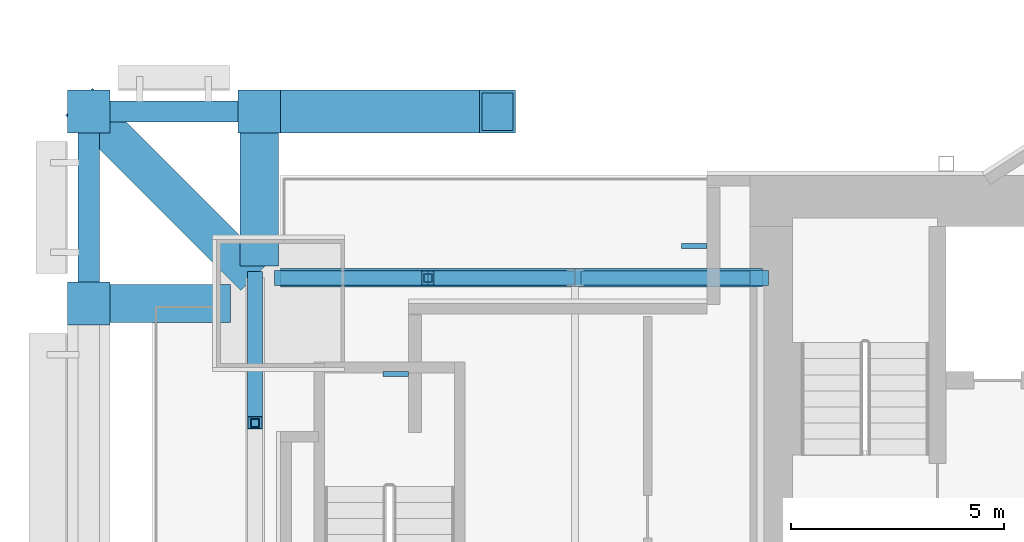
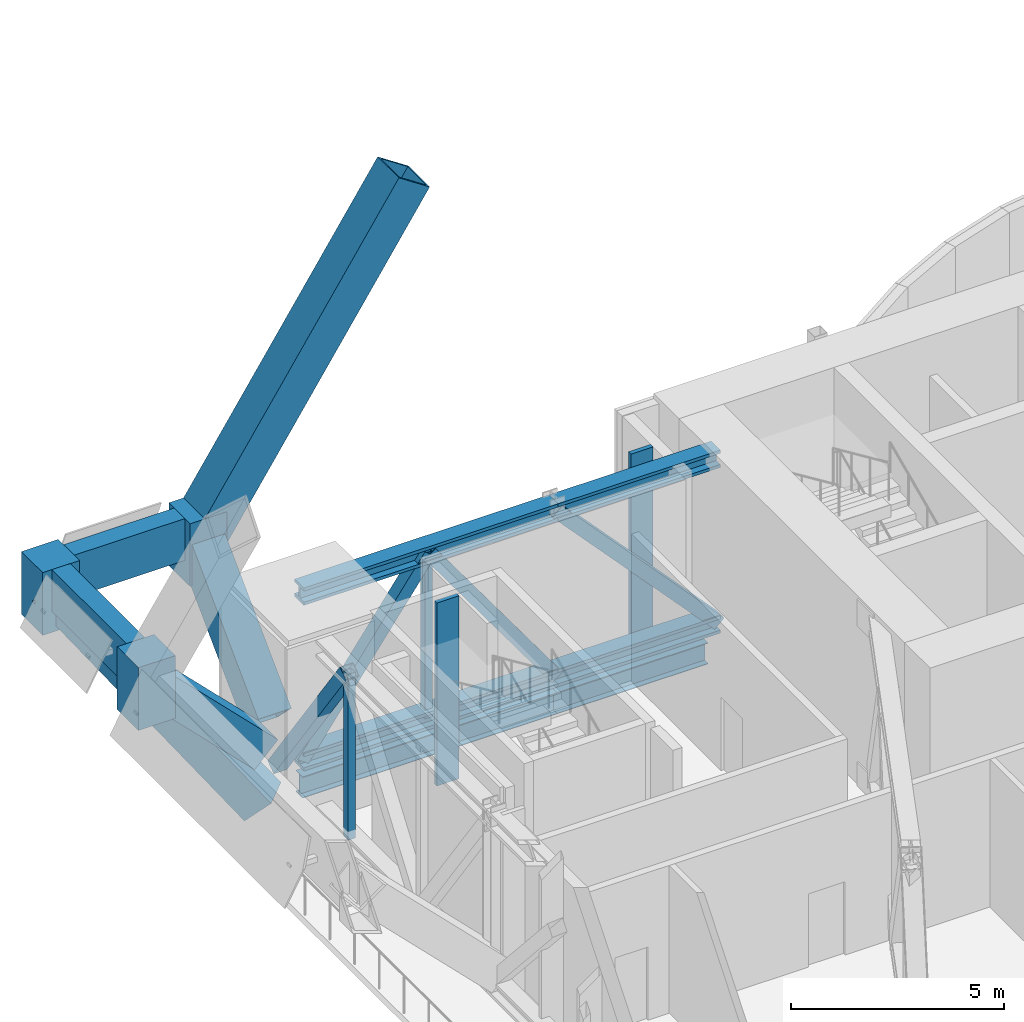
# One storey, part 13 of 32: 19 members, 4 beams, 1 element without a shape of its own.
"""IFC4 building model written with IfcOpenShell, lengths in metres."""

from ifc_helpers import new_model, si_unit, direction, frame, origin, origin_2d, place, context, subcontext, project, spatial, rectangle, hollow_rectangle, i_section, extrude, material, material_profile, profile_set, type_object, element, aggregate, save


model = new_model("IFC4")

# Units and contexts
model_context = context("Model", 3, precision=1e-05, world=origin(), true_north=direction((0.0, 1.0)))
body_context = subcontext(model_context, "Body", "Model", "MODEL_VIEW")
ifc_project = project(units=[si_unit("LENGTHUNIT", "METRE"), si_unit("AREAUNIT", "SQUARE_METRE"), si_unit("VOLUMEUNIT", "CUBIC_METRE"), si_unit("PLANEANGLEUNIT", "RADIAN"), si_unit("MASSUNIT", "GRAM", prefix="KILO")], contexts=[model_context])

# Site, building, storey
site_placement = place(None, origin())
site = spatial("IfcSite", under=ifc_project, at=site_placement, CompositionType="ELEMENT")
building_placement = place(site_placement, origin())
building = spatial("IfcBuilding", under=site, at=building_placement, Name="Bicima Exchange Tower", CompositionType="ELEMENT")
storey_placement = place(building_placement, frame((0.0, 0.0, 135.0)))
storey = spatial("IfcBuildingStorey", under=building, at=storey_placement, Name="L29", CompositionType="ELEMENT", Elevation=135.0)

# Curtain wall, members
ifc_material_1 = material(Name="Anodised bronze aluminium", Category="aluminium")
curtain_wall_type = type_object("IfcCurtainWallType", Name="Band blade screen", PredefinedType="NOTDEFINED", material=ifc_material_1)
curtain_wall_placement = place(storey_placement, origin())
curtain_wall = element("IfcCurtainWall", 1, at=curtain_wall_placement, inside=storey, type_object=curtain_wall_type, Name="Band blade screen L29", PredefinedType="NOTDEFINED")
ifc_material_profile_1 = material_profile(ifc_material_1, rectangle(XDim=0.60009765625, YDim=0.1201171875, at=origin_2d()))
ifc_profile_set_1 = profile_set([ifc_material_profile_1], Name="Anodised bronze aluminium")
member_type_1 = type_object("IfcMemberType", Name="Band blade fin 600 x 120", PredefinedType="USERDEFINED", material=ifc_profile_set_1)
member_1_placement = place(storey_placement, frame((-23.300048828125, -1.64990234375, 0.0), z_axis=(0.0, 0.0, 1.0), x_axis=(1.0, 0.0, 0.0)))
member_1 = element("IfcMember", 2, at=member_1_placement, type_object=member_type_1, Name="Band blade fin 13", ObjectType="FIN", PredefinedType="USERDEFINED", context=body_context, shape_type="SweptSolid", body=[
    extrude(rectangle(XDim=0.60009765625, YDim=0.1201171875, at=origin_2d()), origin(), (0.0, 0.0, 1.0), 5.25),
])
member_2_placement = place(storey_placement, frame((-30.300048828125, -4.64990234375, 0.0), z_axis=(0.0, 0.0, 1.0), x_axis=(1.0, 0.0, 0.0)))
member_2 = element("IfcMember", 3, at=member_2_placement, type_object=member_type_1, Name="Band blade fin 14", ObjectType="FIN", PredefinedType="USERDEFINED", context=body_context, shape_type="SweptSolid", body=[
    extrude(rectangle(XDim=0.60009765625, YDim=0.1201171875, at=origin_2d()), origin(), (0.0, 0.0, 1.0), 5.25),
])
aggregate(curtain_wall, [member_1, member_2])

# Beams
ifc_material_2 = material(Name="Steel ASTM A572 Gr 50", Category="steel")
ifc_material_profile_2 = material_profile(ifc_material_2, hollow_rectangle(XDim=0.5, YDim=1.199951171875, WallThickness=0.0400390625, at=origin_2d()))
ifc_profile_set_2 = profile_set([ifc_material_profile_2], Name="Steel ASTM A572 Gr 50")
beam_type_1 = type_object("IfcBeamType", Name="Belt girder BOX 500x1200x40", PredefinedType="BEAM", material=ifc_profile_set_2)
beam_1_placement = place(storey_placement, frame((-33.5, 1.5, 4.64990234375), z_axis=(-1.0, 0.0, 0.0), x_axis=(0.0, -1.0, 0.0)))
element("IfcBeam", 4, at=beam_1_placement, inside=storey, type_object=beam_type_1, Name="Belt girder", PredefinedType="BEAM", context=body_context, shape_type="SweptSolid", body=[
    extrude(hollow_rectangle(XDim=0.5, YDim=1.199951171875, WallThickness=0.0400390625, at=origin_2d()), origin(), (0.0, 0.0, 1.0), 4.0),
])
beam_2_placement = place(storey_placement, frame((-37.5, 1.5, 4.64990234375), z_axis=(0.0, -1.0, 0.0), x_axis=(1.0, 0.0, 0.0)))
element("IfcBeam", 5, at=beam_2_placement, inside=storey, type_object=beam_type_1, Name="Belt girder", PredefinedType="BEAM", context=body_context, shape_type="SweptSolid", body=[
    extrude(hollow_rectangle(XDim=0.5, YDim=1.199951171875, WallThickness=0.0400390625, at=origin_2d()), origin(), (0.0, 0.0, 1.0), 4.5),
])

# Members
ifc_material_3 = material(Name="Steel ASTM A992 Gr 50", Category="steel")
ifc_material_profile_3 = material_profile(ifc_material_3, i_section(OverallWidth=0.431884765625, OverallDepth=0.497802734375, WebThickness=0.0556640625, FlangeThickness=0.0888671875, at=origin_2d()))
ifc_profile_set_3 = profile_set([ifc_material_profile_3], Name="Steel ASTM A992 Gr 50")
member_type_2 = type_object("IfcMemberType", Name="Belt truss chord W14x500", PredefinedType="CHORD", material=ifc_profile_set_3)
for number, where, z_axis, x_axis, name in (
    (6, (-21.699951171875, -2.39990234375, 5.001220703125), (-1.0, 0.0, 0.0), (0.0, -1.0, 0.0), "Top chord"),
    (7, (-21.699951171875, -2.39990234375, 0.248779296875), (-1.0, 0.0, 0.0), (0.0, -1.0, 0.0), "Bottom chord"),
):
    element("IfcMember", number, at=place(storey_placement, frame(where, z_axis=z_axis, x_axis=x_axis)), inside=storey, type_object=member_type_2, Name=name, PredefinedType="CHORD", context=body_context, shape_type="SweptSolid", body=[
        extrude(i_section(OverallWidth=0.431884765625, OverallDepth=0.497802734375, WebThickness=0.0556640625, FlangeThickness=0.0888671875, at=origin_2d()), origin(), (0.0, 0.0, 1.0), 4.400146484375),
    ])
for number, where, z_axis, x_axis, name in (
    (8, (-26.10009765625, -2.39990234375, 5.001220703125), (-1.0, 0.0, 0.0), (0.0, -1.0, 0.0), "Top chord"),
    (9, (-26.10009765625, -2.39990234375, 0.248779296875), (-1.0, 0.0, 0.0), (0.0, -1.0, 0.0), "Bottom chord"),
):
    element("IfcMember", number, at=place(storey_placement, frame(where, z_axis=z_axis, x_axis=x_axis)), inside=storey, type_object=member_type_2, Name=name, PredefinedType="CHORD", context=body_context, shape_type="SweptSolid", body=[
        extrude(i_section(OverallWidth=0.431884765625, OverallDepth=0.497802734375, WebThickness=0.0556640625, FlangeThickness=0.0888671875, at=origin_2d()), origin(), (0.0, 0.0, 1.0), 6.89990234375),
    ])
ifc_material_profile_4 = material_profile(ifc_material_2, hollow_rectangle(XDim=0.355712890625, YDim=0.355712890625, WallThickness=0.0146484375, at=origin_2d()))
ifc_profile_set_4 = profile_set([ifc_material_profile_4], Name="Steel ASTM A572 Gr 50")
member_type_3 = type_object("IfcMemberType", Name="Belt truss diagonal HSS14x14x5/8", PredefinedType="STRUT", material=ifc_profile_set_4)
member_3_placement = place(storey_placement, frame((-21.699951171875, -2.39990234375, 0.248779296875), z_axis=(-0.67938623239, 0.0, 0.733780857776), x_axis=(0.0, -1.0, 0.0)))
element("IfcMember", 10, at=member_3_placement, inside=storey, type_object=member_type_3, Name="Truss diagonal", PredefinedType="STRUT", context=body_context, shape_type="SweptSolid", body=[
    extrude(hollow_rectangle(XDim=0.355712890625, YDim=0.355712890625, WallThickness=0.0146484375, at=origin_2d()), origin(), (0.0, 0.0, 1.0), 6.4765625),
])
for number, where, z_axis, x_axis, name in (
    (11, (-26.10009765625, -2.39990234375, 0.248779296875), (-0.587462041023, 0.0, 0.809251722493), (0.0, -1.0, 0.0), "Truss diagonal"),
    (12, (-29.550048828125, -2.39990234375, 5.001220703125), (-0.587462041023, 0.0, -0.809251722493), (0.0, -1.0, 0.0), "Truss diagonal"),
):
    element("IfcMember", number, at=place(storey_placement, frame(where, z_axis=z_axis, x_axis=x_axis)), inside=storey, type_object=member_type_3, Name=name, PredefinedType="STRUT", context=body_context, shape_type="SweptSolid", body=[
        extrude(hollow_rectangle(XDim=0.355712890625, YDim=0.355712890625, WallThickness=0.0146484375, at=origin_2d()), origin(), (0.0, 0.0, 1.0), 5.87255859375),
    ])
member_4_placement = place(storey_placement, frame((-33.60009765625, -2.39990234375, 0.248779296875), z_axis=(0.0, -0.581866410253, 0.813284378688), x_axis=(1.0, 0.0, 0.0)))
element("IfcMember", 13, at=member_4_placement, inside=storey, type_object=member_type_3, Name="Truss diagonal", PredefinedType="STRUT", context=body_context, shape_type="SweptSolid", body=[
    extrude(hollow_rectangle(XDim=0.355712890625, YDim=0.355712890625, WallThickness=0.0146484375, at=origin_2d()), origin(), (0.0, 0.0, 1.0), 5.843505859375),
])
ifc_material_profile_5 = material_profile(ifc_material_2, hollow_rectangle(XDim=0.203125, YDim=0.203125, WallThickness=0.01171875, at=origin_2d()))
ifc_profile_set_5 = profile_set([ifc_material_profile_5], Name="Steel ASTM A572 Gr 50")
member_type_4 = type_object("IfcMemberType", Name="Belt truss post HSS8x8x1/2", PredefinedType="POST", material=ifc_profile_set_5)
for number, where, z_axis, x_axis, name in (
    (14, (-29.550048828125, -2.39990234375, 0.248779296875), (0.0, 0.0, 1.0), (1.0, 0.0, 0.0), "Truss post"),
    (15, (-33.60009765625, -5.800048828125, 0.248779296875), (0.0, 0.0, 1.0), (1.0, 0.0, 0.0), "Truss post"),
):
    element("IfcMember", number, at=place(storey_placement, frame(where, z_axis=z_axis, x_axis=x_axis)), inside=storey, type_object=member_type_4, Name=name, PredefinedType="POST", context=body_context, shape_type="SweptSolid", body=[
        extrude(hollow_rectangle(XDim=0.203125, YDim=0.203125, WallThickness=0.01171875, at=origin_2d()), origin(), (0.0, 0.0, 1.0), 4.75244140625),
    ])
ifc_material_profile_6 = material_profile(ifc_material_2, hollow_rectangle(XDim=1.0, YDim=1.0, WallThickness=0.06005859375, at=origin_2d()))
ifc_profile_set_6 = profile_set([ifc_material_profile_6], Name="Steel ASTM A572 Gr 50")
member_type_5 = type_object("IfcMemberType", Name="Exo mega brace BOX 1000x1000x60", PredefinedType="BRACE", material=ifc_profile_set_6)
member_5_placement = place(storey_placement, frame((-33.5, 1.5, 4.5), z_axis=(0.552785436873, 0.0, 0.833323623079), x_axis=(0.0, 1.0, 0.0)))
element("IfcMember", 16, at=member_5_placement, inside=storey, type_object=member_type_5, Name="Exo mega brace rear", PredefinedType="BRACE", context=body_context, shape_type="SweptSolid", body=[
    extrude(hollow_rectangle(XDim=1.0, YDim=1.0, WallThickness=0.06005859375, at=origin_2d()), origin(), (0.0, 0.0, 1.0), 10.10009765625),
])
ifc_material_4 = material(Name="Cast steel ASTM A216 Gr WCB", Category="steel")
ifc_material_profile_7 = material_profile(ifc_material_4, rectangle(XDim=1.0, YDim=1.0, at=origin_2d()))
ifc_profile_set_7 = profile_set([ifc_material_profile_7], Name="Cast steel ASTM A216 Gr WCB")
member_type_6 = type_object("IfcMemberType", Name="Exo node block", PredefinedType="POST", material=ifc_profile_set_7)
for number, where, z_axis, x_axis, name in (
    (17, (-33.5, 1.5, 3.449951171875), (0.0, 0.0, 1.0), (1.0, 0.0, 0.0), "Exo node block"),
    (18, (-37.5, 1.5, 3.449951171875), (0.0, 0.0, 1.0), (1.0, 0.0, 0.0), "Exo node block"),
    (19, (-37.5, -3.0, 3.449951171875), (0.0, 0.0, 1.0), (1.0, 0.0, 0.0), "Exo node block"),
):
    element("IfcMember", number, at=place(storey_placement, frame(where, z_axis=z_axis, x_axis=x_axis)), inside=storey, type_object=member_type_6, Name=name, PredefinedType="POST", context=body_context, shape_type="SweptSolid", body=[
        extrude(rectangle(XDim=1.0, YDim=1.0, at=origin_2d()), origin(), (0.0, 0.0, 1.0), 1.800048828125),
    ])
ifc_material_profile_8 = material_profile(ifc_material_2, hollow_rectangle(XDim=0.89990234375, YDim=0.89990234375, WallThickness=0.050048828125, at=origin_2d()))
ifc_profile_set_8 = profile_set([ifc_material_profile_8], Name="Steel ASTM A572 Gr 50")
member_type_7 = type_object("IfcMemberType", Name="Exo outrigger stub BOX 900x900x50", PredefinedType="STRUT", material=ifc_profile_set_8)
member_6_placement = place(storey_placement, frame((-33.5, -1.800048828125, 1.199951171875), z_axis=(0.0, 0.707106781187, 0.707106781187), x_axis=(-1.0, 0.0, 0.0)))
element("IfcMember", 20, at=member_6_placement, inside=storey, type_object=member_type_7, Name="Exo outrigger stub", PredefinedType="STRUT", context=body_context, shape_type="SweptSolid", body=[
    extrude(hollow_rectangle(XDim=0.89990234375, YDim=0.89990234375, WallThickness=0.050048828125, at=origin_2d()), origin(), (0.0, 0.0, 1.0), 4.6669921875),
])
member_7_placement = place(storey_placement, frame((-33.848388671875, -2.151611328125, -0.864013671875), z_axis=(-0.490420188057, 0.490420188057, 0.72039994329), x_axis=(-0.707106781187, -0.707106781187, 0.0)))
element("IfcMember", 21, at=member_7_placement, inside=storey, type_object=member_type_7, Name="Exo outrigger stub", PredefinedType="STRUT", context=body_context, shape_type="SweptSolid", body=[
    extrude(hollow_rectangle(XDim=0.89990234375, YDim=0.89990234375, WallThickness=0.050048828125, at=origin_2d()), origin(), (0.0, 0.0, 1.0), 7.44580078125),
])
member_8_placement = place(storey_placement, frame((-34.5, -3.0, 1.5), z_axis=(-0.707106781187, 0.0, 0.707106781187), x_axis=(0.0, -1.0, 0.0)))
element("IfcMember", 22, at=member_8_placement, inside=storey, type_object=member_type_7, Name="Exo outrigger stub", PredefinedType="STRUT", context=body_context, shape_type="SweptSolid", body=[
    extrude(hollow_rectangle(XDim=0.89990234375, YDim=0.89990234375, WallThickness=0.050048828125, at=origin_2d()), origin(), (0.0, 0.0, 1.0), 4.24267578125),
])

# Beams
ifc_material_profile_9 = material_profile(ifc_material_3, i_section(OverallWidth=0.3251953125, OverallDepth=0.612060546875, WebThickness=0.0126953125, FlangeThickness=0.01904296875, at=origin_2d()))
ifc_profile_set_9 = profile_set([ifc_material_profile_9], Name="Steel ASTM A992 Gr 50")
beam_type_2 = type_object("IfcBeamType", Name="Rear girder W24x104", PredefinedType="BEAM", material=ifc_profile_set_9)
beam_3_placement = place(storey_placement, frame((-22.0, -2.39990234375, -0.506103515625), z_axis=(-1.0, 0.0, 0.0), x_axis=(0.0, -1.0, 0.0)))
element("IfcBeam", 23, at=beam_3_placement, inside=storey, type_object=beam_type_2, Name="Rear girder", PredefinedType="BEAM", context=body_context, shape_type="SweptSolid", body=[
    extrude(i_section(OverallWidth=0.3251953125, OverallDepth=0.612060546875, WebThickness=0.0126953125, FlangeThickness=0.01904296875, at=origin_2d()), origin(), (0.0, 0.0, 1.0), 4.10009765625),
])
beam_4_placement = place(storey_placement, frame((-26.10009765625, -2.39990234375, -0.506103515625), z_axis=(-1.0, 0.0, 0.0), x_axis=(0.0, -1.0, 0.0)))
element("IfcBeam", 24, at=beam_4_placement, inside=storey, type_object=beam_type_2, Name="Rear girder", PredefinedType="BEAM", context=body_context, shape_type="SweptSolid", body=[
    extrude(i_section(OverallWidth=0.3251953125, OverallDepth=0.612060546875, WebThickness=0.0126953125, FlangeThickness=0.01904296875, at=origin_2d()), origin(), (0.0, 0.0, 1.0), 6.89990234375),
])

save(model, "model.ifc")
